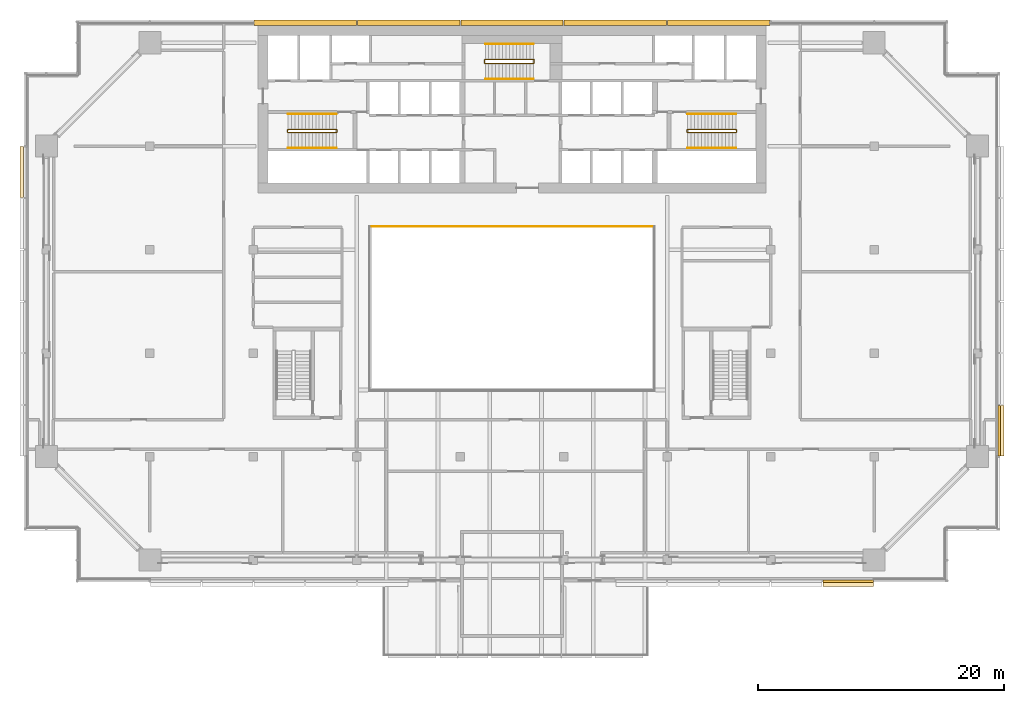
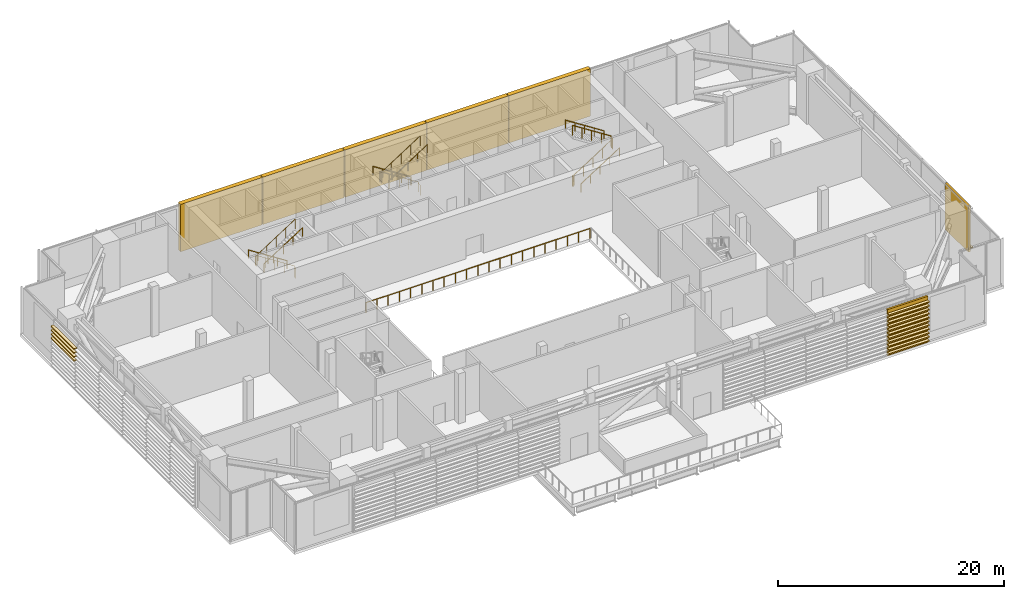
# One storey, part 28 of 29: 23 coverings, 10 railings.
"""IFC4 building model written with IfcOpenShell, lengths in metres."""

from ifc_helpers import new_model, si_unit, direction, frame, origin, origin_2d, place, context, subcontext, project, spatial, polyline, circle, outline, extrude, material, layer, layer_set, type_object, element, save


model = new_model("IFC4")

# Units and contexts
model_context = context("Model", 3, precision=1e-05, world=origin(), true_north=direction((0.0, 1.0)))
body_context = subcontext(model_context, "Body", "Model", "MODEL_VIEW")
ifc_project = project(units=[si_unit("LENGTHUNIT", "METRE"), si_unit("AREAUNIT", "SQUARE_METRE"), si_unit("VOLUMEUNIT", "CUBIC_METRE"), si_unit("PLANEANGLEUNIT", "RADIAN"), si_unit("MASSUNIT", "GRAM", prefix="KILO")], contexts=[model_context])

# Site, building, storey
site_placement = place(None, origin())
site = spatial("IfcSite", under=ifc_project, at=site_placement, CompositionType="ELEMENT")
building_placement = place(site_placement, origin())
building = spatial("IfcBuilding", under=site, at=building_placement, Name="Saffron Gate Tower", CompositionType="ELEMENT")
storey_placement = place(building_placement, frame((0.0, 0.0, 142.050048828125)))
storey = spatial("IfcBuildingStorey", under=building, at=storey_placement, Name="L34", CompositionType="ELEMENT", Elevation=142.050048828125)

# Railing
ifc_material_1 = material(Name="Stainless steel and laminated glass", Category="steel")
railing_type_1 = type_object("IfcRailingType", Name="AG1 Atrium edge guard 1100", PredefinedType="GUARDRAIL", material=ifc_material_1)
railing_1_placement = place(storey_placement, frame((76.139892578125, 58.860107421875, 0.0)))
element("IfcRailing", 1, at=railing_1_placement, inside=storey, type_object=railing_type_1, Name="Guard SL-2", PredefinedType="GUARDRAIL", context=body_context, shape_type="SweptSolid", body=[
    extrude(circle(Radius=0.02392578125, at=origin_2d()), frame((0.0, 0.0, 1.076171875), z_axis=(1.0, 0.0, 0.0), x_axis=(0.0, 1.0, 0.0)), (0.0, 0.0, 1.0), 22.920166015625),
    extrude(circle(Radius=0.02099609375, at=origin_2d()), origin(), (0.0, 0.0, 1.0), 1.052001953125),
    extrude(circle(Radius=0.02099609375, at=origin_2d()), frame((1.14599609375, 0.0, 0.0)), (0.0, 0.0, 1.0), 1.052001953125),
    extrude(circle(Radius=0.02099609375, at=origin_2d()), frame((2.2919921875, 0.0, 0.0)), (0.0, 0.0, 1.0), 1.052001953125),
    extrude(circle(Radius=0.02099609375, at=origin_2d()), frame((3.43798828125, 0.0, 0.0)), (0.0, 0.0, 1.0), 1.052001953125),
    extrude(circle(Radius=0.02099609375, at=origin_2d()), frame((4.583984375, 0.0, 0.0)), (0.0, 0.0, 1.0), 1.052001953125),
    extrude(circle(Radius=0.02099609375, at=origin_2d()), frame((5.72998046875, 0.0, 0.0)), (0.0, 0.0, 1.0), 1.052001953125),
    extrude(circle(Radius=0.02099609375, at=origin_2d()), frame((6.8759765625, 0.0, 0.0)), (0.0, 0.0, 1.0), 1.052001953125),
    extrude(circle(Radius=0.02099609375, at=origin_2d()), frame((8.02197265625, 0.0, 0.0)), (0.0, 0.0, 1.0), 1.052001953125),
    extrude(circle(Radius=0.02099609375, at=origin_2d()), frame((9.16796875, 0.0, 0.0)), (0.0, 0.0, 1.0), 1.052001953125),
    extrude(circle(Radius=0.02099609375, at=origin_2d()), frame((10.31396484375, 0.0, 0.0)), (0.0, 0.0, 1.0), 1.052001953125),
    extrude(circle(Radius=0.02099609375, at=origin_2d()), frame((11.4599609375, 0.0, 0.0)), (0.0, 0.0, 1.0), 1.052001953125),
    extrude(circle(Radius=0.02099609375, at=origin_2d()), frame((12.606201171875, 0.0, 0.0)), (0.0, 0.0, 1.0), 1.052001953125),
    extrude(circle(Radius=0.02099609375, at=origin_2d()), frame((13.752197265625, 0.0, 0.0)), (0.0, 0.0, 1.0), 1.052001953125),
    extrude(circle(Radius=0.02099609375, at=origin_2d()), frame((14.898193359375, 0.0, 0.0)), (0.0, 0.0, 1.0), 1.052001953125),
    extrude(circle(Radius=0.02099609375, at=origin_2d()), frame((16.044189453125, 0.0, 0.0)), (0.0, 0.0, 1.0), 1.052001953125),
    extrude(circle(Radius=0.02099609375, at=origin_2d()), frame((17.190185546875, 0.0, 0.0)), (0.0, 0.0, 1.0), 1.052001953125),
    extrude(circle(Radius=0.02099609375, at=origin_2d()), frame((18.336181640625, 0.0, 0.0)), (0.0, 0.0, 1.0), 1.052001953125),
    extrude(circle(Radius=0.02099609375, at=origin_2d()), frame((19.482177734375, 0.0, 0.0)), (0.0, 0.0, 1.0), 1.052001953125),
    extrude(circle(Radius=0.02099609375, at=origin_2d()), frame((20.628173828125, 0.0, 0.0)), (0.0, 0.0, 1.0), 1.052001953125),
    extrude(circle(Radius=0.02099609375, at=origin_2d()), frame((21.774169921875, 0.0, 0.0)), (0.0, 0.0, 1.0), 1.052001953125),
    extrude(circle(Radius=0.02099609375, at=origin_2d()), frame((22.920166015625, 0.0, 0.0)), (0.0, 0.0, 1.0), 1.052001953125),
])

# Coverings
ifc_material_2 = material(Name="Ceramic-printed bronze insulated panel")
ifc_layer_1 = layer(ifc_material_2, 0.43994140625)
ifc_layer_set_1 = layer_set([ifc_layer_1], Name="CLD3 ceramic-printed cladding panel 440")
covering_type_1 = type_object("IfcCoveringType", Name="CLD3 ceramic-printed cladding panel 440", PredefinedType="CLADDING", material=ifc_layer_set_1)
covering_1_placement = place(storey_placement, origin())
element("IfcCovering", 2, at=covering_1_placement, inside=storey, type_object=covering_type_1, Name="CLADDING ceramic-printed panel", PredefinedType="CLADDING", context=body_context, shape_type="SweptSolid", body=[
    extrude(outline(polyline([(108.56005859375, 75.639892578125), (100.239990234375, 75.639892578125), (100.239990234375, 75.199951171875), (108.56005859375, 75.199951171875), (108.56005859375, 75.639892578125)])), origin(), (0.0, 0.0, 1.0), 5.119873046875),
])
covering_2_placement = place(storey_placement, origin())
element("IfcCovering", 3, at=covering_2_placement, inside=storey, type_object=covering_type_1, Name="CLADDING ceramic-printed panel", PredefinedType="CLADDING", context=body_context, shape_type="SweptSolid", body=[
    extrude(outline(polyline([(100.159912109375, 75.639892578125), (91.840087890625, 75.639892578125), (91.840087890625, 75.199951171875), (100.159912109375, 75.199951171875), (100.159912109375, 75.639892578125)])), origin(), (0.0, 0.0, 1.0), 5.119873046875),
])
covering_3_placement = place(storey_placement, origin())
element("IfcCovering", 4, at=covering_3_placement, inside=storey, type_object=covering_type_1, Name="CLADDING ceramic-printed panel", PredefinedType="CLADDING", context=body_context, shape_type="SweptSolid", body=[
    extrude(outline(polyline([(91.760009765625, 75.639892578125), (83.43994140625, 75.639892578125), (83.43994140625, 75.199951171875), (91.760009765625, 75.199951171875), (91.760009765625, 75.639892578125)])), origin(), (0.0, 0.0, 1.0), 5.119873046875),
])
covering_4_placement = place(storey_placement, origin())
element("IfcCovering", 5, at=covering_4_placement, inside=storey, type_object=covering_type_1, Name="CLADDING ceramic-printed panel", PredefinedType="CLADDING", context=body_context, shape_type="SweptSolid", body=[
    extrude(outline(polyline([(83.360107421875, 75.639892578125), (75.0400390625, 75.639892578125), (75.0400390625, 75.199951171875), (83.360107421875, 75.199951171875), (83.360107421875, 75.639892578125)])), origin(), (0.0, 0.0, 1.0), 5.119873046875),
])
covering_5_placement = place(storey_placement, origin())
element("IfcCovering", 6, at=covering_5_placement, inside=storey, type_object=covering_type_1, Name="CLADDING ceramic-printed panel", PredefinedType="CLADDING", context=body_context, shape_type="SweptSolid", body=[
    extrude(outline(polyline([(74.9599609375, 75.639892578125), (66.639892578125, 75.639892578125), (66.639892578125, 75.199951171875), (74.9599609375, 75.199951171875), (74.9599609375, 75.639892578125)])), origin(), (0.0, 0.0, 1.0), 5.119873046875),
])
ifc_layer_2 = layer(ifc_material_2, 0.199951171875)
ifc_layer_set_2 = layer_set([ifc_layer_2], Name="CLDB ceramic-printed backed panel 200")
covering_type_2 = type_object("IfcCoveringType", Name="CLDB ceramic-printed backed panel 200", PredefinedType="CLADDING", material=ifc_layer_set_2)
covering_6_placement = place(storey_placement, origin())
element("IfcCovering", 7, at=covering_6_placement, inside=storey, type_object=covering_type_2, Name="CLADDING backed panel behind the braces", PredefinedType="CLADDING", context=body_context, shape_type="SweptSolid", body=[
    extrude(outline(polyline([(112.840087890625, 29.9599609375), (116.9599609375, 29.9599609375), (116.9599609375, 30.159912109375), (112.840087890625, 30.159912109375), (112.840087890625, 29.9599609375)])), origin(), (0.0, 0.0, 1.0), 5.0),
])
covering_7_placement = place(storey_placement, origin())
element("IfcCovering", 8, at=covering_7_placement, inside=storey, type_object=covering_type_2, Name="CLADDING backed panel behind the braces", PredefinedType="CLADDING", context=body_context, shape_type="SweptSolid", body=[
    extrude(outline(polyline([(127.239990234375, 40.239990234375), (127.239990234375, 44.360107421875), (127.0400390625, 44.360107421875), (127.0400390625, 40.239990234375), (127.239990234375, 40.239990234375)])), origin(), (0.0, 0.0, 1.0), 5.0),
])

# Railings
railing_type_2 = type_object("IfcRailingType", Name="CR1 Stair guard 1100", PredefinedType="GUARDRAIL", material=ifc_material_1)
railing_2_placement = place(storey_placement, frame((73.39990234375, 66.550048828125, 0.0)))
element("IfcRailing", 9, at=railing_2_placement, inside=storey, type_object=railing_type_2, Name="L34 ST-A stair guard 1", PredefinedType="GUARDRAIL", context=body_context, shape_type="SweptSolid", body=[
    extrude(circle(Radius=0.02392578125, at=origin_2d()), frame((0.0, 0.0, 1.076171875), z_axis=(0.0, 1.0, 0.0), x_axis=(-1.0, 0.0, 0.0)), (0.0, 0.0, 1.0), 0.14990234375),
    extrude(circle(Radius=0.02392578125, at=origin_2d()), frame((0.0, 0.14990234375, 1.076171875), z_axis=(-0.257669022063, 0.258932105505, 0.930892496375), x_axis=(-0.708833529934, -0.705375805398, 0.0)), (0.0, 0.0, 1.0), 0.193359375),
    extrude(circle(Radius=0.02392578125, at=origin_2d()), frame((-0.0498046875, 0.199951171875, 1.255859375), z_axis=(-0.841186985886, 0.0, 0.540744352514), x_axis=(0.0, -1.0, 0.0)), (0.0, 0.0, 1.0), 4.660400390625),
    extrude(circle(Radius=0.02392578125, at=origin_2d()), frame((-3.969970703125, 0.199951171875, 3.77587890625), z_axis=(-0.707106781187, -0.707106781187, 0.0), x_axis=(0.707106781187, -0.707106781187, 0.0)), (0.0, 0.0, 1.0), 0.07080078125),
    extrude(circle(Radius=0.02392578125, at=origin_2d()), frame((-4.02001953125, 0.14990234375, 3.77587890625), z_axis=(0.0, -1.0, 0.0), x_axis=(1.0, 0.0, 0.0)), (0.0, 0.0, 1.0), 0.14990234375),
    extrude(circle(Radius=0.02392578125, at=origin_2d()), frame((-4.02001953125, 0.0, 3.77587890625), z_axis=(0.258847668887, -0.258847668887, 0.930588936439), x_axis=(0.707106781187, 0.707106781187, 0.0)), (0.0, 0.0, 1.0), 0.193359375),
    extrude(circle(Radius=0.02392578125, at=origin_2d()), frame((-3.969970703125, -0.050048828125, 3.9560546875), z_axis=(0.841186985886, 0.0, 0.540744352514), x_axis=(0.0, 1.0, 0.0)), (0.0, 0.0, 1.0), 4.660400390625),
    extrude(circle(Radius=0.02099609375, at=origin_2d()), origin(), (0.0, 0.0, 1.0), 1.052001953125),
    extrude(circle(Radius=0.02099609375, at=origin_2d()), frame((0.0, 0.14990234375, 0.0)), (0.0, 0.0, 1.0), 1.052001953125),
    extrude(circle(Radius=0.02099609375, at=origin_2d()), frame((-0.0498046875, 0.199951171875, 0.179931640625)), (0.0, 0.0, 1.0), 1.052001953125),
    extrude(circle(Radius=0.02099609375, at=origin_2d()), frame((-1.02978515625, 0.199951171875, 0.81005859375)), (0.0, 0.0, 1.0), 1.052001953125),
    extrude(circle(Radius=0.02099609375, at=origin_2d()), frame((-2.009765625, 0.199951171875, 1.43994140625)), (0.0, 0.0, 1.0), 1.052001953125),
    extrude(circle(Radius=0.02099609375, at=origin_2d()), frame((-2.989990234375, 0.199951171875, 2.06982421875)), (0.0, 0.0, 1.0), 1.052001953125),
    extrude(circle(Radius=0.02099609375, at=origin_2d()), frame((-3.969970703125, 0.199951171875, 2.699951171875)), (0.0, 0.0, 1.0), 1.052001953125),
    extrude(circle(Radius=0.02099609375, at=origin_2d()), frame((-4.02001953125, 0.14990234375, 2.699951171875)), (0.0, 0.0, 1.0), 1.052001953125),
    extrude(circle(Radius=0.02099609375, at=origin_2d()), frame((-4.02001953125, 0.0, 2.699951171875)), (0.0, 0.0, 1.0), 1.052001953125),
    extrude(circle(Radius=0.02099609375, at=origin_2d()), frame((-3.969970703125, -0.050048828125, 2.8798828125)), (0.0, 0.0, 1.0), 1.052001953125),
    extrude(circle(Radius=0.02099609375, at=origin_2d()), frame((-2.989990234375, -0.050048828125, 3.509765625)), (0.0, 0.0, 1.0), 1.052001953125),
    extrude(circle(Radius=0.02099609375, at=origin_2d()), frame((-2.009765625, -0.050048828125, 4.139892578125)), (0.0, 0.0, 1.0), 1.052001953125),
    extrude(circle(Radius=0.02099609375, at=origin_2d()), frame((-1.02978515625, -0.050048828125, 4.77001953125)), (0.0, 0.0, 1.0), 1.052001953125),
    extrude(circle(Radius=0.02099609375, at=origin_2d()), frame((-0.0498046875, -0.050048828125, 5.39990234375)), (0.0, 0.0, 1.0), 1.052001953125),
])
railing_3_placement = place(storey_placement, frame((101.800048828125, 66.699951171875, 0.0)))
element("IfcRailing", 10, at=railing_3_placement, inside=storey, type_object=railing_type_2, Name="L34 ST-B stair guard 1", PredefinedType="GUARDRAIL", context=body_context, shape_type="SweptSolid", body=[
    extrude(circle(Radius=0.02392578125, at=origin_2d()), frame((0.0, 0.0, 1.076171875), z_axis=(0.0, -1.0, 0.0), x_axis=(1.0, 0.0, 0.0)), (0.0, 0.0, 1.0), 0.14990234375),
    extrude(circle(Radius=0.02392578125, at=origin_2d()), frame((0.0, -0.14990234375, 1.076171875), z_axis=(0.258847668887, -0.258847668887, 0.930588936439), x_axis=(0.707106781187, 0.707106781187, 0.0)), (0.0, 0.0, 1.0), 0.193359375),
    extrude(circle(Radius=0.02392578125, at=origin_2d()), frame((0.050048828125, -0.199951171875, 1.255859375), z_axis=(0.841171666519, 0.0, 0.540768182723), x_axis=(0.0, 1.0, 0.0)), (0.0, 0.0, 1.0), 4.66015625),
    extrude(circle(Radius=0.02392578125, at=origin_2d()), frame((3.969970703125, -0.199951171875, 3.77587890625), z_axis=(0.707106781187, 0.707106781187, 0.0), x_axis=(-0.707106781187, 0.707106781187, 0.0)), (0.0, 0.0, 1.0), 0.07080078125),
    extrude(circle(Radius=0.02392578125, at=origin_2d()), frame((4.02001953125, -0.14990234375, 3.77587890625), z_axis=(0.0, 1.0, 0.0), x_axis=(-1.0, 0.0, 0.0)), (0.0, 0.0, 1.0), 0.14990234375),
    extrude(circle(Radius=0.02392578125, at=origin_2d()), frame((4.02001953125, 0.0, 3.77587890625), z_axis=(-0.258847668887, 0.258847668887, 0.930588936439), x_axis=(-0.707106781187, -0.707106781187, 0.0)), (0.0, 0.0, 1.0), 0.193359375),
    extrude(circle(Radius=0.02392578125, at=origin_2d()), frame((3.969970703125, 0.050048828125, 3.9560546875), z_axis=(-0.841171666519, 0.0, 0.540768182723), x_axis=(0.0, -1.0, 0.0)), (0.0, 0.0, 1.0), 4.66015625),
    extrude(circle(Radius=0.02099609375, at=origin_2d()), origin(), (0.0, 0.0, 1.0), 1.052001953125),
    extrude(circle(Radius=0.02099609375, at=origin_2d()), frame((0.0, -0.14990234375, 0.0)), (0.0, 0.0, 1.0), 1.052001953125),
    extrude(circle(Radius=0.02099609375, at=origin_2d()), frame((0.050048828125, -0.199951171875, 0.179931640625)), (0.0, 0.0, 1.0), 1.052001953125),
    extrude(circle(Radius=0.02099609375, at=origin_2d()), frame((1.030029296875, -0.199951171875, 0.81005859375)), (0.0, 0.0, 1.0), 1.052001953125),
    extrude(circle(Radius=0.02099609375, at=origin_2d()), frame((2.010009765625, -0.199951171875, 1.43994140625)), (0.0, 0.0, 1.0), 1.052001953125),
    extrude(circle(Radius=0.02099609375, at=origin_2d()), frame((2.989990234375, -0.199951171875, 2.06982421875)), (0.0, 0.0, 1.0), 1.052001953125),
    extrude(circle(Radius=0.02099609375, at=origin_2d()), frame((3.969970703125, -0.199951171875, 2.699951171875)), (0.0, 0.0, 1.0), 1.052001953125),
    extrude(circle(Radius=0.02099609375, at=origin_2d()), frame((4.02001953125, -0.14990234375, 2.699951171875)), (0.0, 0.0, 1.0), 1.052001953125),
    extrude(circle(Radius=0.02099609375, at=origin_2d()), frame((4.02001953125, 0.0, 2.699951171875)), (0.0, 0.0, 1.0), 1.052001953125),
    extrude(circle(Radius=0.02099609375, at=origin_2d()), frame((3.969970703125, 0.050048828125, 2.8798828125)), (0.0, 0.0, 1.0), 1.052001953125),
    extrude(circle(Radius=0.02099609375, at=origin_2d()), frame((2.989990234375, 0.050048828125, 3.509765625)), (0.0, 0.0, 1.0), 1.052001953125),
    extrude(circle(Radius=0.02099609375, at=origin_2d()), frame((2.010009765625, 0.050048828125, 4.139892578125)), (0.0, 0.0, 1.0), 1.052001953125),
    extrude(circle(Radius=0.02099609375, at=origin_2d()), frame((1.030029296875, 0.050048828125, 4.77001953125)), (0.0, 0.0, 1.0), 1.052001953125),
    extrude(circle(Radius=0.02099609375, at=origin_2d()), frame((0.050048828125, 0.050048828125, 5.39990234375)), (0.0, 0.0, 1.0), 1.052001953125),
])
railing_4_placement = place(storey_placement, frame((89.39990234375, 72.14990234375, 0.0)))
element("IfcRailing", 11, at=railing_4_placement, inside=storey, type_object=railing_type_2, Name="L34 ST-C stair guard 1", PredefinedType="GUARDRAIL", context=body_context, shape_type="SweptSolid", body=[
    extrude(circle(Radius=0.02392578125, at=origin_2d()), frame((0.0, 0.0, 1.076171875), z_axis=(0.0, 1.0, 0.0), x_axis=(-1.0, 0.0, 0.0)), (0.0, 0.0, 1.0), 0.25),
    extrude(circle(Radius=0.02392578125, at=origin_2d()), frame((0.0, 0.25, 1.076171875), z_axis=(-0.257669022063, 0.258932105505, 0.930892496375), x_axis=(-0.708833529934, -0.705375805398, 0.0)), (0.0, 0.0, 1.0), 0.193359375),
    extrude(circle(Radius=0.02392578125, at=origin_2d()), frame((-0.0498046875, 0.300048828125, 1.255859375), z_axis=(-0.841186985886, 0.0, 0.540744352514), x_axis=(0.0, -1.0, 0.0)), (0.0, 0.0, 1.0), 4.660400390625),
    extrude(circle(Radius=0.02392578125, at=origin_2d()), frame((-3.969970703125, 0.300048828125, 3.77587890625), z_axis=(-0.707106781187, -0.707106781187, 0.0), x_axis=(0.707106781187, -0.707106781187, 0.0)), (0.0, 0.0, 1.0), 0.07080078125),
    extrude(circle(Radius=0.02392578125, at=origin_2d()), frame((-4.02001953125, 0.25, 3.77587890625), z_axis=(0.0, -1.0, 0.0), x_axis=(1.0, 0.0, 0.0)), (0.0, 0.0, 1.0), 0.25),
    extrude(circle(Radius=0.02392578125, at=origin_2d()), frame((-4.02001953125, 0.0, 3.77587890625), z_axis=(0.258932105505, -0.257669022063, 0.930892496375), x_axis=(0.705375805398, 0.708833529934, 0.0)), (0.0, 0.0, 1.0), 0.193359375),
    extrude(circle(Radius=0.02392578125, at=origin_2d()), frame((-3.969970703125, -0.0498046875, 3.9560546875), z_axis=(0.841186985886, 0.0, 0.540744352514), x_axis=(0.0, 1.0, 0.0)), (0.0, 0.0, 1.0), 4.660400390625),
    extrude(circle(Radius=0.02099609375, at=origin_2d()), origin(), (0.0, 0.0, 1.0), 1.052001953125),
    extrude(circle(Radius=0.02099609375, at=origin_2d()), frame((0.0, 0.25, 0.0)), (0.0, 0.0, 1.0), 1.052001953125),
    extrude(circle(Radius=0.02099609375, at=origin_2d()), frame((-0.0498046875, 0.300048828125, 0.179931640625)), (0.0, 0.0, 1.0), 1.052001953125),
    extrude(circle(Radius=0.02099609375, at=origin_2d()), frame((-1.02978515625, 0.300048828125, 0.81005859375)), (0.0, 0.0, 1.0), 1.052001953125),
    extrude(circle(Radius=0.02099609375, at=origin_2d()), frame((-2.009765625, 0.300048828125, 1.43994140625)), (0.0, 0.0, 1.0), 1.052001953125),
    extrude(circle(Radius=0.02099609375, at=origin_2d()), frame((-2.989990234375, 0.300048828125, 2.06982421875)), (0.0, 0.0, 1.0), 1.052001953125),
    extrude(circle(Radius=0.02099609375, at=origin_2d()), frame((-3.969970703125, 0.300048828125, 2.699951171875)), (0.0, 0.0, 1.0), 1.052001953125),
    extrude(circle(Radius=0.02099609375, at=origin_2d()), frame((-4.02001953125, 0.25, 2.699951171875)), (0.0, 0.0, 1.0), 1.052001953125),
    extrude(circle(Radius=0.02099609375, at=origin_2d()), frame((-4.02001953125, 0.0, 2.699951171875)), (0.0, 0.0, 1.0), 1.052001953125),
    extrude(circle(Radius=0.02099609375, at=origin_2d()), frame((-3.969970703125, -0.0498046875, 2.8798828125)), (0.0, 0.0, 1.0), 1.052001953125),
    extrude(circle(Radius=0.02099609375, at=origin_2d()), frame((-2.989990234375, -0.0498046875, 3.509765625)), (0.0, 0.0, 1.0), 1.052001953125),
    extrude(circle(Radius=0.02099609375, at=origin_2d()), frame((-2.009765625, -0.0498046875, 4.139892578125)), (0.0, 0.0, 1.0), 1.052001953125),
    extrude(circle(Radius=0.02099609375, at=origin_2d()), frame((-1.02978515625, -0.0498046875, 4.77001953125)), (0.0, 0.0, 1.0), 1.052001953125),
    extrude(circle(Radius=0.02099609375, at=origin_2d()), frame((-0.0498046875, -0.0498046875, 5.39990234375)), (0.0, 0.0, 1.0), 1.052001953125),
])
ifc_material_3 = material(Name="Stainless steel", Category="steel")
railing_type_3 = type_object("IfcRailingType", Name="CR2 Stair handrail 900", PredefinedType="HANDRAIL", material=ifc_material_3)
railing_5_placement = place(storey_placement, frame((73.35009765625, 68.0, 0.179931640625)))
element("IfcRailing", 12, at=railing_5_placement, inside=storey, type_object=railing_type_3, Name="L34 ST-A stair handrail 1", PredefinedType="HANDRAIL", context=body_context, shape_type="SweptSolid", body=[
    extrude(circle(Radius=0.02392578125, at=origin_2d()), frame((0.0, 0.0, 0.8759765625), z_axis=(-0.841186985886, 0.0, 0.540744352514), x_axis=(0.0, -1.0, 0.0)), (0.0, 0.0, 1.0), 4.660400390625),
    extrude(circle(Radius=0.02099609375, at=origin_2d()), origin(), (0.0, 0.0, 1.0), 0.851806640625),
    extrude(circle(Radius=0.02099609375, at=origin_2d()), frame((-0.97998046875, 0.0, 0.6298828125)), (0.0, 0.0, 1.0), 0.851806640625),
    extrude(circle(Radius=0.02099609375, at=origin_2d()), frame((-1.9599609375, 0.0, 1.260009765625)), (0.0, 0.0, 1.0), 0.851806640625),
    extrude(circle(Radius=0.02099609375, at=origin_2d()), frame((-2.940185546875, 0.0, 1.89013671875)), (0.0, 0.0, 1.0), 0.851806640625),
    extrude(circle(Radius=0.02099609375, at=origin_2d()), frame((-3.920166015625, 0.0, 2.52001953125)), (0.0, 0.0, 1.0), 0.851806640625),
])
railing_6_placement = place(storey_placement, frame((69.429931640625, 65.25, 2.8798828125)))
element("IfcRailing", 13, at=railing_6_placement, inside=storey, type_object=railing_type_3, Name="L34 ST-A stair handrail 2", PredefinedType="HANDRAIL", context=body_context, shape_type="SweptSolid", body=[
    extrude(circle(Radius=0.02392578125, at=origin_2d()), frame((0.0, 0.0, 0.8759765625), z_axis=(0.841186985886, 0.0, 0.540744352514), x_axis=(0.0, 1.0, 0.0)), (0.0, 0.0, 1.0), 4.660400390625),
    extrude(circle(Radius=0.02099609375, at=origin_2d()), origin(), (0.0, 0.0, 1.0), 0.851806640625),
    extrude(circle(Radius=0.02099609375, at=origin_2d()), frame((0.97998046875, 0.0, 0.6298828125)), (0.0, 0.0, 1.0), 0.851806640625),
    extrude(circle(Radius=0.02099609375, at=origin_2d()), frame((1.9599609375, 0.0, 1.260009765625)), (0.0, 0.0, 1.0), 0.851806640625),
    extrude(circle(Radius=0.02099609375, at=origin_2d()), frame((2.940185546875, 0.0, 1.89013671875)), (0.0, 0.0, 1.0), 0.851806640625),
    extrude(circle(Radius=0.02099609375, at=origin_2d()), frame((3.920166015625, 0.0, 2.52001953125)), (0.0, 0.0, 1.0), 0.851806640625),
])
railing_7_placement = place(storey_placement, frame((101.85009765625, 65.25, 0.179931640625)))
element("IfcRailing", 14, at=railing_7_placement, inside=storey, type_object=railing_type_3, Name="L34 ST-B stair handrail 1", PredefinedType="HANDRAIL", context=body_context, shape_type="SweptSolid", body=[
    extrude(circle(Radius=0.02392578125, at=origin_2d()), frame((0.0, 0.0, 0.8759765625), z_axis=(0.841171666519, 0.0, 0.540768182723), x_axis=(0.0, 1.0, 0.0)), (0.0, 0.0, 1.0), 4.66015625),
    extrude(circle(Radius=0.02099609375, at=origin_2d()), origin(), (0.0, 0.0, 1.0), 0.851806640625),
    extrude(circle(Radius=0.02099609375, at=origin_2d()), frame((0.97998046875, 0.0, 0.6298828125)), (0.0, 0.0, 1.0), 0.851806640625),
    extrude(circle(Radius=0.02099609375, at=origin_2d()), frame((1.9599609375, 0.0, 1.260009765625)), (0.0, 0.0, 1.0), 0.851806640625),
    extrude(circle(Radius=0.02099609375, at=origin_2d()), frame((2.93994140625, 0.0, 1.89013671875)), (0.0, 0.0, 1.0), 0.851806640625),
    extrude(circle(Radius=0.02099609375, at=origin_2d()), frame((3.919921875, 0.0, 2.52001953125)), (0.0, 0.0, 1.0), 0.851806640625),
])
railing_8_placement = place(storey_placement, frame((105.77001953125, 68.0, 2.8798828125)))
element("IfcRailing", 15, at=railing_8_placement, inside=storey, type_object=railing_type_3, Name="L34 ST-B stair handrail 2", PredefinedType="HANDRAIL", context=body_context, shape_type="SweptSolid", body=[
    extrude(circle(Radius=0.02392578125, at=origin_2d()), frame((0.0, 0.0, 0.8759765625), z_axis=(-0.841171666519, 0.0, 0.540768182723), x_axis=(0.0, -1.0, 0.0)), (0.0, 0.0, 1.0), 4.66015625),
    extrude(circle(Radius=0.02099609375, at=origin_2d()), origin(), (0.0, 0.0, 1.0), 0.851806640625),
    extrude(circle(Radius=0.02099609375, at=origin_2d()), frame((-0.97998046875, 0.0, 0.6298828125)), (0.0, 0.0, 1.0), 0.851806640625),
    extrude(circle(Radius=0.02099609375, at=origin_2d()), frame((-1.9599609375, 0.0, 1.260009765625)), (0.0, 0.0, 1.0), 0.851806640625),
    extrude(circle(Radius=0.02099609375, at=origin_2d()), frame((-2.93994140625, 0.0, 1.89013671875)), (0.0, 0.0, 1.0), 0.851806640625),
    extrude(circle(Radius=0.02099609375, at=origin_2d()), frame((-3.919921875, 0.0, 2.52001953125)), (0.0, 0.0, 1.0), 0.851806640625),
])
railing_9_placement = place(storey_placement, frame((89.35009765625, 73.699951171875, 0.179931640625)))
element("IfcRailing", 16, at=railing_9_placement, inside=storey, type_object=railing_type_3, Name="L34 ST-C stair handrail 1", PredefinedType="HANDRAIL", context=body_context, shape_type="SweptSolid", body=[
    extrude(circle(Radius=0.02392578125, at=origin_2d()), frame((0.0, 0.0, 0.8759765625), z_axis=(-0.841186985886, 0.0, 0.540744352514), x_axis=(0.0, -1.0, 0.0)), (0.0, 0.0, 1.0), 4.660400390625),
    extrude(circle(Radius=0.02099609375, at=origin_2d()), origin(), (0.0, 0.0, 1.0), 0.851806640625),
    extrude(circle(Radius=0.02099609375, at=origin_2d()), frame((-0.97998046875, 0.0, 0.6298828125)), (0.0, 0.0, 1.0), 0.851806640625),
    extrude(circle(Radius=0.02099609375, at=origin_2d()), frame((-1.9599609375, 0.0, 1.260009765625)), (0.0, 0.0, 1.0), 0.851806640625),
    extrude(circle(Radius=0.02099609375, at=origin_2d()), frame((-2.940185546875, 0.0, 1.89013671875)), (0.0, 0.0, 1.0), 0.851806640625),
    extrude(circle(Radius=0.02099609375, at=origin_2d()), frame((-3.920166015625, 0.0, 2.52001953125)), (0.0, 0.0, 1.0), 0.851806640625),
])
railing_10_placement = place(storey_placement, frame((85.429931640625, 70.85009765625, 2.8798828125)))
element("IfcRailing", 17, at=railing_10_placement, inside=storey, type_object=railing_type_3, Name="L34 ST-C stair handrail 2", PredefinedType="HANDRAIL", context=body_context, shape_type="SweptSolid", body=[
    extrude(circle(Radius=0.02392578125, at=origin_2d()), frame((0.0, 0.0, 0.8759765625), z_axis=(0.841186985886, 0.0, 0.540744352514), x_axis=(0.0, 1.0, 0.0)), (0.0, 0.0, 1.0), 4.660400390625),
    extrude(circle(Radius=0.02099609375, at=origin_2d()), origin(), (0.0, 0.0, 1.0), 0.851806640625),
    extrude(circle(Radius=0.02099609375, at=origin_2d()), frame((0.97998046875, 0.0, 0.6298828125)), (0.0, 0.0, 1.0), 0.851806640625),
    extrude(circle(Radius=0.02099609375, at=origin_2d()), frame((1.9599609375, 0.0, 1.260009765625)), (0.0, 0.0, 1.0), 0.851806640625),
    extrude(circle(Radius=0.02099609375, at=origin_2d()), frame((2.940185546875, 0.0, 1.89013671875)), (0.0, 0.0, 1.0), 0.851806640625),
    extrude(circle(Radius=0.02099609375, at=origin_2d()), frame((3.920166015625, 0.0, 2.52001953125)), (0.0, 0.0, 1.0), 0.851806640625),
])

# Coverings
ifc_layer_3 = layer(ifc_material_2, 0.1201171875)
ifc_layer_set_3 = layer_set([ifc_layer_3], Name="LV1 louvre slat 300")
covering_type_3 = type_object("IfcCoveringType", Name="LV1 louvre slat 300", PredefinedType="CLADDING", material=ifc_layer_set_3)
for number, where, name in (
    (18, (0.0, 0.0, 0.300048828125), "CLADDING louvre slat in front of the outrigger truss"),
    (19, (0.0, 0.0, 0.719970703125), "CLADDING louvre slat in front of the outrigger truss"),
):
    element("IfcCovering", number, at=place(storey_placement, frame(where)), inside=storey, type_object=covering_type_3, Name=name, PredefinedType="CLADDING", context=body_context, shape_type="SweptSolid", body=[
        extrude(outline(polyline([(112.840087890625, 29.659912109375), (116.9599609375, 29.659912109375), (116.9599609375, 29.9599609375), (112.840087890625, 29.9599609375), (112.840087890625, 29.659912109375)])), origin(), (0.0, 0.0, 1.0), 0.119873046875),
    ])
covering_8_placement = place(storey_placement, frame((0.0, 0.0, 1.139892578125)))
element("IfcCovering", 20, at=covering_8_placement, inside=storey, type_object=covering_type_3, Name="CLADDING louvre slat in front of the outrigger truss", PredefinedType="CLADDING", context=body_context, shape_type="SweptSolid", body=[
    extrude(outline(polyline([(112.840087890625, 29.659912109375), (116.9599609375, 29.659912109375), (116.9599609375, 29.9599609375), (112.840087890625, 29.9599609375), (112.840087890625, 29.659912109375)])), origin(), (0.0, 0.0, 1.0), 0.1201171875),
])
for number, where, name in (
    (21, (0.0, 0.0, 1.56005859375), "CLADDING louvre slat in front of the outrigger truss"),
    (22, (0.0, 0.0, 1.97998046875), "CLADDING louvre slat in front of the outrigger truss"),
):
    element("IfcCovering", number, at=place(storey_placement, frame(where)), inside=storey, type_object=covering_type_3, Name=name, PredefinedType="CLADDING", context=body_context, shape_type="SweptSolid", body=[
        extrude(outline(polyline([(112.840087890625, 29.659912109375), (116.9599609375, 29.659912109375), (116.9599609375, 29.9599609375), (112.840087890625, 29.9599609375), (112.840087890625, 29.659912109375)])), origin(), (0.0, 0.0, 1.0), 0.119873046875),
    ])
covering_9_placement = place(storey_placement, frame((0.0, 0.0, 2.39990234375)))
element("IfcCovering", 23, at=covering_9_placement, inside=storey, type_object=covering_type_3, Name="CLADDING louvre slat in front of the outrigger truss", PredefinedType="CLADDING", context=body_context, shape_type="SweptSolid", body=[
    extrude(outline(polyline([(112.840087890625, 29.659912109375), (116.9599609375, 29.659912109375), (116.9599609375, 29.9599609375), (112.840087890625, 29.9599609375), (112.840087890625, 29.659912109375)])), origin(), (0.0, 0.0, 1.0), 0.1201171875),
])
for number, where, name in (
    (24, (0.0, 0.0, 2.820068359375), "CLADDING louvre slat in front of the outrigger truss"),
    (25, (0.0, 0.0, 3.239990234375), "CLADDING louvre slat in front of the outrigger truss"),
):
    element("IfcCovering", number, at=place(storey_placement, frame(where)), inside=storey, type_object=covering_type_3, Name=name, PredefinedType="CLADDING", context=body_context, shape_type="SweptSolid", body=[
        extrude(outline(polyline([(112.840087890625, 29.659912109375), (116.9599609375, 29.659912109375), (116.9599609375, 29.9599609375), (112.840087890625, 29.9599609375), (112.840087890625, 29.659912109375)])), origin(), (0.0, 0.0, 1.0), 0.119873046875),
    ])
for number, where, name in (
    (26, (0.0, 0.0, 3.659912109375), "CLADDING louvre slat in front of the outrigger truss"),
    (27, (0.0, 0.0, 4.079833984375), "CLADDING louvre slat in front of the outrigger truss"),
):
    element("IfcCovering", number, at=place(storey_placement, frame(where)), inside=storey, type_object=covering_type_3, Name=name, PredefinedType="CLADDING", context=body_context, shape_type="SweptSolid", body=[
        extrude(outline(polyline([(112.840087890625, 29.659912109375), (116.9599609375, 29.659912109375), (116.9599609375, 29.9599609375), (112.840087890625, 29.9599609375), (112.840087890625, 29.659912109375)])), origin(), (0.0, 0.0, 1.0), 0.1201171875),
    ])
covering_10_placement = place(storey_placement, frame((0.0, 0.0, 4.5)))
element("IfcCovering", 28, at=covering_10_placement, inside=storey, type_object=covering_type_3, Name="CLADDING louvre slat in front of the outrigger truss", PredefinedType="CLADDING", context=body_context, shape_type="SweptSolid", body=[
    extrude(outline(polyline([(112.840087890625, 29.659912109375), (116.9599609375, 29.659912109375), (116.9599609375, 29.9599609375), (112.840087890625, 29.9599609375), (112.840087890625, 29.659912109375)])), origin(), (0.0, 0.0, 1.0), 0.119873046875),
])
covering_11_placement = place(storey_placement, frame((0.0, 0.0, 0.300048828125)))
element("IfcCovering", 29, at=covering_11_placement, inside=storey, type_object=covering_type_3, Name="CLADDING louvre slat in front of the outrigger truss", PredefinedType="CLADDING", context=body_context, shape_type="SweptSolid", body=[
    extrude(outline(polyline([(127.5400390625, 40.239990234375), (127.5400390625, 44.360107421875), (127.239990234375, 44.360107421875), (127.239990234375, 40.239990234375), (127.5400390625, 40.239990234375)])), origin(), (0.0, 0.0, 1.0), 0.119873046875),
])
covering_12_placement = place(storey_placement, frame((0.0, 0.0, 3.239990234375)))
element("IfcCovering", 30, at=covering_12_placement, inside=storey, type_object=covering_type_3, Name="CLADDING louvre slat in front of the outrigger truss", PredefinedType="CLADDING", context=body_context, shape_type="SweptSolid", body=[
    extrude(outline(polyline([(47.659912109375, 65.360107421875), (47.659912109375, 61.239990234375), (47.9599609375, 61.239990234375), (47.9599609375, 65.360107421875), (47.659912109375, 65.360107421875)])), origin(), (0.0, 0.0, 1.0), 0.119873046875),
])
for number, where, name in (
    (31, (0.0, 0.0, 3.659912109375), "CLADDING louvre slat in front of the outrigger truss"),
    (32, (0.0, 0.0, 4.079833984375), "CLADDING louvre slat in front of the outrigger truss"),
):
    element("IfcCovering", number, at=place(storey_placement, frame(where)), inside=storey, type_object=covering_type_3, Name=name, PredefinedType="CLADDING", context=body_context, shape_type="SweptSolid", body=[
        extrude(outline(polyline([(47.659912109375, 65.360107421875), (47.659912109375, 61.239990234375), (47.9599609375, 61.239990234375), (47.9599609375, 65.360107421875), (47.659912109375, 65.360107421875)])), origin(), (0.0, 0.0, 1.0), 0.1201171875),
    ])
covering_13_placement = place(storey_placement, frame((0.0, 0.0, 4.5)))
element("IfcCovering", 33, at=covering_13_placement, inside=storey, type_object=covering_type_3, Name="CLADDING louvre slat in front of the outrigger truss", PredefinedType="CLADDING", context=body_context, shape_type="SweptSolid", body=[
    extrude(outline(polyline([(47.659912109375, 65.360107421875), (47.659912109375, 61.239990234375), (47.9599609375, 61.239990234375), (47.9599609375, 65.360107421875), (47.659912109375, 65.360107421875)])), origin(), (0.0, 0.0, 1.0), 0.119873046875),
])

save(model, "model.ifc")
